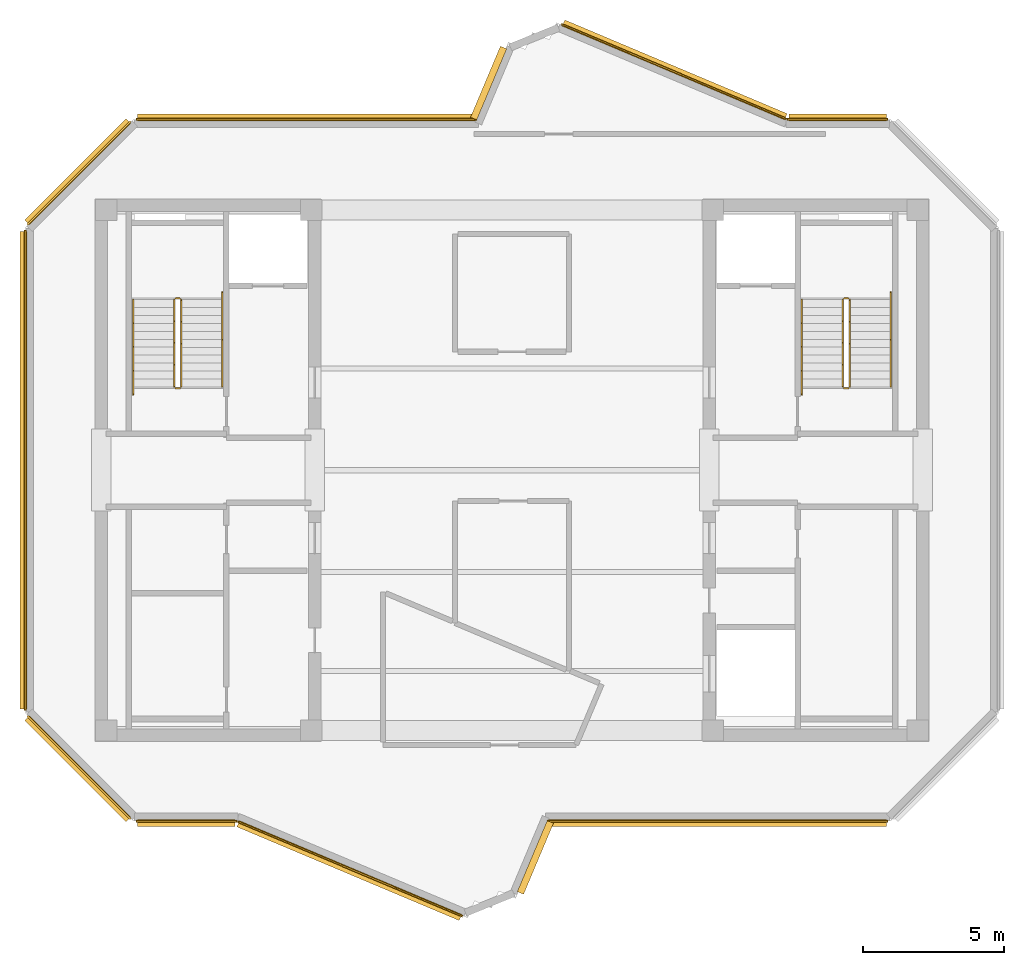
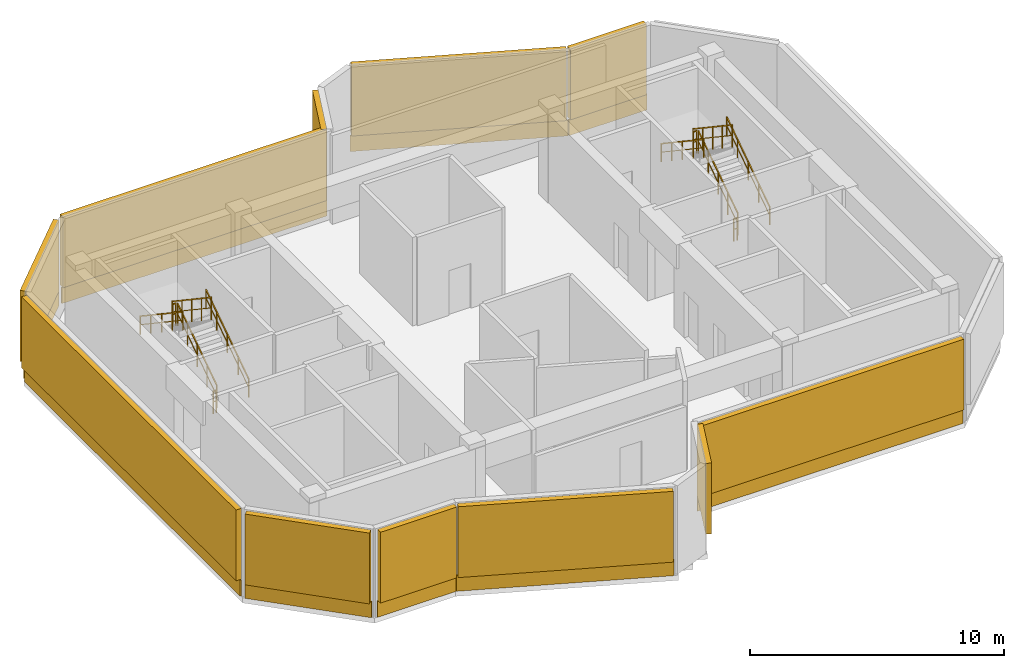
# One storey, part 4 of 5: 12 railings, 11 shading devices, 9 coverings.
"""IFC4 building model written with IfcOpenShell, lengths in metres."""

import ifcopenshell
import ifcopenshell.guid

model = None  # the IFC model being written
_history = None  # IfcOwnerHistory: only IFC2X3 demands one
_inside = {}  # id of a spatial element -> (the spatial element, [elements in it])
_under = {}  # id of a project, library or spatial element -> (it, [spatial elements below it])
_declared = {}  # id of a project -> (the project, [libraries it declares])
_typed = {}  # id of a type object -> (the type object, [elements of that type])
_made_of = {}  # id of a material, layer set ... -> (it, [elements and type objects made of it])


def new_model(schema):
    """Start an empty IFC model of exactly this schema.

    Asked for "IFC4X3", IfcOpenShell would pick the latest addendum, in which some entities
    have other attributes; the version numbers below select the first issue.
    IFC2X3 requires an IfcOwnerHistory on every rooted entity: one is made here for all.
    """
    global model, _history
    if schema == "IFC4X3":
        model = ifcopenshell.file(schema_version=(4, 3, 0, 0))
    else:
        model = ifcopenshell.file(schema=schema)
    _inside.clear()
    _under.clear()
    _declared.clear()
    _typed.clear()
    _made_of.clear()
    _history = None
    if model.schema == "IFC2X3":
        org = make("IfcOrganization", Name="unknown")
        user = make(
            "IfcPersonAndOrganization",
            ThePerson=make("IfcPerson", FamilyName="unknown"),
            TheOrganization=org,
        )
        app = make(
            "IfcApplication",
            ApplicationDeveloper=org,
            Version="unknown",
            ApplicationFullName="unknown",
            ApplicationIdentifier="unknown",
        )
        _history = make(
            "IfcOwnerHistory",
            OwningUser=user,
            OwningApplication=app,
            ChangeAction="ADDED",
            CreationDate=0,
        )
    return model


def make(cls, **values):
    """One entity of the class cls with the attributes given. An attribute that is None is left unset."""
    return model.create_entity(
        cls, **{name: value for name, value in values.items() if value is not None}
    )


def rooted(cls, **values):
    """An entity with a GlobalId (a new one), such as an element, a storey or a relation."""
    return make(cls, GlobalId=ifcopenshell.guid.new(), OwnerHistory=_history, **values)


def si_unit(unit_type, name, prefix=None):
    """IfcSIUnit, for example si_unit("LENGTHUNIT", "METRE", prefix="MILLI")."""
    return make("IfcSIUnit", UnitType=unit_type, Prefix=prefix, Name=name)


def assignment(units):
    """IfcUnitAssignment: the units of a project."""
    return None if units is None else make("IfcUnitAssignment", Units=units)


def point(xyz):
    """IfcCartesianPoint."""
    return None if xyz is None else make("IfcCartesianPoint", Coordinates=xyz)


def direction(xyz):
    """IfcDirection."""
    return None if xyz is None else make("IfcDirection", DirectionRatios=xyz)


def frame(location, z_axis=None, x_axis=None):
    """IfcAxis2Placement3D, a coordinate frame: its origin and axes. An axis left out is left unset."""
    return make(
        "IfcAxis2Placement3D",
        Location=point(location),
        Axis=direction(z_axis),
        RefDirection=direction(x_axis),
    )


def frame_2d(location, x_axis=None):
    """IfcAxis2Placement2D, a coordinate frame in the plane: its origin and x axis."""
    return make(
        "IfcAxis2Placement2D", Location=point(location), RefDirection=direction(x_axis)
    )


def origin():
    """The frame at (0, 0, 0) with its axes left unset."""
    return frame((0.0, 0.0, 0.0))


def origin_2d():
    """The frame at (0, 0) in the plane with its x axis left unset."""
    return frame_2d((0.0, 0.0))


def place(relative_to, where):
    """IfcLocalPlacement: puts the frame where relative to a parent placement (None: the world)."""
    return make(
        "IfcLocalPlacement", PlacementRelTo=relative_to, RelativePlacement=where
    )


def context(
    kind, dimensions, precision=None, world=None, true_north=None, identifier=None
):
    """IfcGeometricRepresentationContext, for example the 3D "Model" context."""
    return make(
        "IfcGeometricRepresentationContext",
        ContextIdentifier=identifier,
        ContextType=kind,
        CoordinateSpaceDimension=dimensions,
        Precision=precision,
        WorldCoordinateSystem=world,
        TrueNorth=true_north,
    )


def subcontext(parent, identifier, kind, view, scale=None):
    """IfcGeometricRepresentationSubContext, for example "Body" below "Model"."""
    return make(
        "IfcGeometricRepresentationSubContext",
        ContextIdentifier=identifier,
        ContextType=kind,
        ParentContext=parent,
        TargetScale=scale,
        TargetView=view,
    )


def project(units=None, contexts=None):
    """IfcProject with its units and contexts."""
    return rooted(
        "IfcProject",
        Name="project",
        RepresentationContexts=contexts,
        UnitsInContext=assignment(units),
    )


def spatial(cls, under=None, at=None, **own):
    """A site, building, storey or space (cls), placed at a placement, below another one or the project."""
    s = rooted(cls, ObjectPlacement=at, **own)
    if under is not None:
        _under.setdefault(under.id(), (under, []))[1].append(s)
    return s


def profile(cls, at=None, kind="AREA", **sizes):
    """A parametric profile (cls). Its sizes go by their IFC names, for example OverallWidth=200.0."""
    return make(cls, ProfileType=kind, Position=at, **sizes)


def rectangle(**sizes):
    """IfcRectangleProfileDef."""
    return profile("IfcRectangleProfileDef", **sizes)


def extrude(swept, where, along, depth):
    """IfcExtrudedAreaSolid: the profile swept, set in the frame where, extruded along a direction by depth."""
    return make(
        "IfcExtrudedAreaSolid",
        SweptArea=swept,
        Position=where,
        ExtrudedDirection=direction(along),
        Depth=depth,
    )


def shape(context_of_items, identifier, shape_type, items):
    """IfcShapeRepresentation: the items that make up one representation, for example the "Body"."""
    return make(
        "IfcShapeRepresentation",
        ContextOfItems=context_of_items,
        RepresentationIdentifier=identifier,
        RepresentationType=shape_type,
        Items=items,
    )


def source(mapping_origin, context_of_items, identifier, shape_type, items):
    """IfcRepresentationMap: a shape defined once, which mapped items show again and again."""
    return make(
        "IfcRepresentationMap",
        MappingOrigin=mapping_origin,
        MappedRepresentation=shape(context_of_items, identifier, shape_type, items),
    )


def transform(
    local_origin,
    x_axis=None,
    y_axis=None,
    z_axis=None,
    scale=None,
    scale2=None,
    scale3=None,
    uniform=True,
):
    """IfcCartesianTransformationOperator3D, or its non-uniform kind. x_axis, y_axis, z_axis: its Axis1, 2, 3."""
    if uniform:
        return make(
            "IfcCartesianTransformationOperator3D",
            Axis1=direction(x_axis),
            Axis2=direction(y_axis),
            LocalOrigin=point(local_origin),
            Scale=scale,
            Axis3=direction(z_axis),
        )
    return make(
        "IfcCartesianTransformationOperator3DnonUniform",
        Axis1=direction(x_axis),
        Axis2=direction(y_axis),
        LocalOrigin=point(local_origin),
        Scale=scale,
        Axis3=direction(z_axis),
        Scale2=scale2,
        Scale3=scale3,
    )


def mapped(mapping_source, mapping_target):
    """IfcMappedItem: shows the shape of a source again, moved by a transform."""
    return make(
        "IfcMappedItem", MappingSource=mapping_source, MappingTarget=mapping_target
    )


def material(Name=None, Category=None):
    """IfcMaterial."""
    return make("IfcMaterial", Name=Name, Category=Category)


def layer(
    of_material, thickness, ventilated=None, Name=None, Category=None, Priority=None
):
    """IfcMaterialLayer: one layer of a wall or slab, of a material (None: an air gap)."""
    return make(
        "IfcMaterialLayer",
        Material=of_material,
        LayerThickness=thickness,
        IsVentilated=ventilated,
        Name=Name,
        Category=Category,
        Priority=Priority,
    )


def layer_set(layers, Name=None):
    """IfcMaterialLayerSet."""
    return make("IfcMaterialLayerSet", MaterialLayers=layers, LayerSetName=Name)


def made_of(thing, what):
    """Note that an element or type object is made of a material, layer set ...; save() writes the relation."""
    if what is not None:
        _made_of.setdefault(what.id(), (what, []))[1].append(thing)
    return thing


def type_object(cls, material=None, **own):
    """A type object (cls), such as IfcWallType, which elements share."""
    return made_of(rooted(cls, **own), material)


def element(
    cls,
    number,
    at=None,
    inside=None,
    cuts=None,
    type_object=None,
    material=None,
    context=None,
    identifier="Body",
    shape_type=None,
    held_by="IfcProductDefinitionShape",
    body=None,
    shapes=None,
    **own,
):
    """One element of the class cls, such as IfcWall. Its Tag is "e" and its number.

    at: its placement. inside: the storey or other place that contains it. cuts: it is an
    opening in that element (IfcRelVoidsElement). A single representation is given by context,
    identifier, shape_type and body (its items); several are given by shapes. held_by: the class
    of the entity that holds the representations. save() writes the other relations.
    """
    e = rooted(cls, Tag="e%d" % number, ObjectPlacement=at, **own)
    if body is not None:
        shapes = [shape(context, identifier, shape_type, body)]
    if shapes is not None:
        e.Representation = make(held_by, Representations=shapes)
    if inside is not None:
        _inside.setdefault(inside.id(), (inside, []))[1].append(e)
    if cuts is not None:
        rooted(
            "IfcRelVoidsElement", RelatingBuildingElement=cuts, RelatedOpeningElement=e
        )
    if type_object is not None:
        _typed.setdefault(type_object.id(), (type_object, []))[1].append(e)
    return made_of(e, material)


def aggregate(whole, parts):
    """IfcRelAggregates: a whole, such as a stair, and the parts it consists of."""
    return rooted("IfcRelAggregates", RelatingObject=whole, RelatedObjects=parts)


def save(model, path):
    """Write the relations noted so far, then the file.

    IfcRelAggregates (storeys below a building ...), IfcRelContainedInSpatialStructure (elements
    in a storey), IfcRelDefinesByType, IfcRelAssociatesMaterial and IfcRelDeclares: one each for
    every whole, place, type object, material and project.
    """
    for whole, parts in _under.values():
        aggregate(whole, parts)
    for where, things in _inside.values():
        rooted(
            "IfcRelContainedInSpatialStructure",
            RelatedElements=things,
            RelatingStructure=where,
        )
    for kind, things in _typed.values():
        rooted("IfcRelDefinesByType", RelatedObjects=things, RelatingType=kind)
    for what, things in _made_of.values():
        rooted("IfcRelAssociatesMaterial", RelatedObjects=things, RelatingMaterial=what)
    for by, libraries in _declared.values():
        rooted("IfcRelDeclares", RelatingContext=by, RelatedDefinitions=libraries)
    model.write(path)


model = new_model("IFC4")

# Units and contexts
model_context = context("Model", 3, precision=1e-05, world=origin(), true_north=direction((0.0, 1.0)))
body_context = subcontext(model_context, "Body", "Model", "MODEL_VIEW")
ifc_project = project(units=[si_unit("LENGTHUNIT", "METRE"), si_unit("AREAUNIT", "SQUARE_METRE"), si_unit("VOLUMEUNIT", "CUBIC_METRE"), si_unit("PLANEANGLEUNIT", "RADIAN"), si_unit("MASSUNIT", "GRAM", prefix="KILO")], contexts=[model_context])

# Site, building, storey
site_placement = place(None, origin())
site = spatial("IfcSite", under=ifc_project, at=site_placement, CompositionType="ELEMENT")
building_placement = place(site_placement, origin())
building = spatial("IfcBuilding", under=site, at=building_placement, Name="Zahravan Cultural Tower", CompositionType="ELEMENT")
storey_placement = place(building_placement, frame((0.0, 0.0, 375.14990234375)))
storey = spatial("IfcBuildingStorey", under=building, at=storey_placement, Name="L91", CompositionType="ELEMENT", Elevation=375.14990234375)

# Railings
ifc_material_1 = material(Name="Steel ASTM A572 Grade 50", Category="steel")
railing_type_1 = type_object("IfcRailingType", Name="RL-STAIR-GRD1150", PredefinedType="BALUSTRADE", material=ifc_material_1)
railing_1_placement = place(storey_placement, frame((24.300048828125, 29.949951171875, 0.1875)))
element("IfcRailing", 1, at=railing_1_placement, inside=storey, type_object=railing_type_1, Name="L91 ST-W1 stair guard 1", PredefinedType="BALUSTRADE", context=body_context, shape_type="SweptSolid", body=[
    extrude(rectangle(XDim=0.05, YDim=0.05, at=origin_2d()), frame((0.0, 0.0, 1.0751953125), z_axis=(0.0, 0.830913701846, 0.55640131208), x_axis=(-1.0, 0.0, 0.0)), (0.0, 0.0, 1.0), 3.706787109375),
    extrude(rectangle(XDim=0.032, YDim=0.032, at=origin_2d()), frame((0.0, 0.0, 0.572021484375), z_axis=(0.0, 0.830913701846, 0.55640131208), x_axis=(-1.0, 0.0, 0.0)), (0.0, 0.0, 1.0), 3.706787109375),
    extrude(rectangle(XDim=0.04, YDim=0.04, at=origin_2d()), origin(), (0.0, 0.0, 1.0), 1.10009765625),
    extrude(rectangle(XDim=0.04, YDim=0.04, at=origin_2d()), frame((0.0, 0.77001953125, 0.515625)), (0.0, 0.0, 1.0), 1.10009765625),
    extrude(rectangle(XDim=0.04, YDim=0.04, at=origin_2d()), frame((0.0, 1.5400390625, 1.03125)), (0.0, 0.0, 1.0), 1.10009765625),
    extrude(rectangle(XDim=0.04, YDim=0.04, at=origin_2d()), frame((0.0, 2.31005859375, 1.546875)), (0.0, 0.0, 1.0), 1.10009765625),
    extrude(rectangle(XDim=0.04, YDim=0.04, at=origin_2d()), frame((0.0, 3.080078125, 2.0625)), (0.0, 0.0, 1.0), 1.10009765625),
])
railing_2_placement = place(storey_placement, frame((24.25, 33.080078125, 2.25)))
element("IfcRailing", 2, at=railing_2_placement, inside=storey, type_object=railing_type_1, Name="L91 ST-W1 stair guard 2", PredefinedType="BALUSTRADE", context=body_context, shape_type="SweptSolid", body=[
    extrude(rectangle(XDim=0.05, YDim=0.05, at=origin_2d()), frame((0.0, 0.0, 1.0751953125), z_axis=(-1.0, 0.0, 0.0), x_axis=(0.0, -1.0, 0.0)), (0.0, 0.0, 1.0), 0.14990234375),
    extrude(rectangle(XDim=0.032, YDim=0.032, at=origin_2d()), frame((0.0, 0.0, 0.572021484375), z_axis=(-1.0, 0.0, 0.0), x_axis=(0.0, -1.0, 0.0)), (0.0, 0.0, 1.0), 0.14990234375),
    extrude(rectangle(XDim=0.04, YDim=0.04, at=origin_2d()), origin(), (0.0, 0.0, 1.0), 1.10009765625),
    extrude(rectangle(XDim=0.04, YDim=0.04, at=origin_2d()), frame((-0.14990234375, 0.0, 0.0)), (0.0, 0.0, 1.0), 1.10009765625),
])
railing_3_placement = place(storey_placement, frame((24.050048828125, 33.030029296875, 2.4375)))
element("IfcRailing", 3, at=railing_3_placement, inside=storey, type_object=railing_type_1, Name="L91 ST-W1 stair guard 3", PredefinedType="BALUSTRADE", context=body_context, shape_type="SweptSolid", body=[
    extrude(rectangle(XDim=0.05, YDim=0.05, at=origin_2d()), frame((0.0, 0.0, 1.0751953125), z_axis=(0.0, -0.830913701846, 0.55640131208), x_axis=(1.0, 0.0, 0.0)), (0.0, 0.0, 1.0), 3.706787109375),
    extrude(rectangle(XDim=0.032, YDim=0.032, at=origin_2d()), frame((0.0, 0.0, 0.572021484375), z_axis=(0.0, -0.830913701846, 0.55640131208), x_axis=(1.0, 0.0, 0.0)), (0.0, 0.0, 1.0), 3.706787109375),
    extrude(rectangle(XDim=0.04, YDim=0.04, at=origin_2d()), origin(), (0.0, 0.0, 1.0), 1.10009765625),
    extrude(rectangle(XDim=0.04, YDim=0.04, at=origin_2d()), frame((0.0, -0.77001953125, 0.515625)), (0.0, 0.0, 1.0), 1.10009765625),
    extrude(rectangle(XDim=0.04, YDim=0.04, at=origin_2d()), frame((0.0, -1.5400390625, 1.03125)), (0.0, 0.0, 1.0), 1.10009765625),
    extrude(rectangle(XDim=0.04, YDim=0.04, at=origin_2d()), frame((0.0, -2.31005859375, 1.546875)), (0.0, 0.0, 1.0), 1.10009765625),
    extrude(rectangle(XDim=0.04, YDim=0.04, at=origin_2d()), frame((0.0, -3.080078125, 2.0625)), (0.0, 0.0, 1.0), 1.10009765625),
])
railing_4_placement = place(storey_placement, frame((24.25, 29.89990234375, 0.0)))
element("IfcRailing", 4, at=railing_4_placement, inside=storey, type_object=railing_type_1, Name="L91 ST-W1 stair guard 4", PredefinedType="BALUSTRADE", context=body_context, shape_type="SweptSolid", body=[
    extrude(rectangle(XDim=0.05, YDim=0.05, at=origin_2d()), frame((0.0, 0.0, 1.0751953125), z_axis=(-1.0, 0.0, 0.0), x_axis=(0.0, -1.0, 0.0)), (0.0, 0.0, 1.0), 0.14990234375),
    extrude(rectangle(XDim=0.032, YDim=0.032, at=origin_2d()), frame((0.0, 0.0, 0.572021484375), z_axis=(-1.0, 0.0, 0.0), x_axis=(0.0, -1.0, 0.0)), (0.0, 0.0, 1.0), 0.14990234375),
    extrude(rectangle(XDim=0.04, YDim=0.04, at=origin_2d()), origin(), (0.0, 0.0, 1.0), 1.10009765625),
    extrude(rectangle(XDim=0.04, YDim=0.04, at=origin_2d()), frame((-0.14990234375, 0.0, 0.0)), (0.0, 0.0, 1.0), 1.10009765625),
])
railing_5_placement = place(storey_placement, frame((47.949951171875, 29.949951171875, 0.1875)))
element("IfcRailing", 5, at=railing_5_placement, inside=storey, type_object=railing_type_1, Name="L91 ST-E1 stair guard 1", PredefinedType="BALUSTRADE", context=body_context, shape_type="SweptSolid", body=[
    extrude(rectangle(XDim=0.05, YDim=0.05, at=origin_2d()), frame((0.0, 0.0, 1.0751953125), z_axis=(0.0, 0.830913701846, 0.55640131208), x_axis=(-1.0, 0.0, 0.0)), (0.0, 0.0, 1.0), 3.706787109375),
    extrude(rectangle(XDim=0.032, YDim=0.032, at=origin_2d()), frame((0.0, 0.0, 0.572021484375), z_axis=(0.0, 0.830913701846, 0.55640131208), x_axis=(-1.0, 0.0, 0.0)), (0.0, 0.0, 1.0), 3.706787109375),
    extrude(rectangle(XDim=0.04, YDim=0.04, at=origin_2d()), origin(), (0.0, 0.0, 1.0), 1.10009765625),
    extrude(rectangle(XDim=0.04, YDim=0.04, at=origin_2d()), frame((0.0, 0.77001953125, 0.515625)), (0.0, 0.0, 1.0), 1.10009765625),
    extrude(rectangle(XDim=0.04, YDim=0.04, at=origin_2d()), frame((0.0, 1.5400390625, 1.03125)), (0.0, 0.0, 1.0), 1.10009765625),
    extrude(rectangle(XDim=0.04, YDim=0.04, at=origin_2d()), frame((0.0, 2.31005859375, 1.546875)), (0.0, 0.0, 1.0), 1.10009765625),
    extrude(rectangle(XDim=0.04, YDim=0.04, at=origin_2d()), frame((0.0, 3.080078125, 2.0625)), (0.0, 0.0, 1.0), 1.10009765625),
])
railing_6_placement = place(storey_placement, frame((47.89990234375, 33.080078125, 2.25)))
element("IfcRailing", 6, at=railing_6_placement, inside=storey, type_object=railing_type_1, Name="L91 ST-E1 stair guard 2", PredefinedType="BALUSTRADE", context=body_context, shape_type="SweptSolid", body=[
    extrude(rectangle(XDim=0.05, YDim=0.05, at=origin_2d()), frame((0.0, 0.0, 1.0751953125), z_axis=(-1.0, 0.0, 0.0), x_axis=(0.0, -1.0, 0.0)), (0.0, 0.0, 1.0), 0.14990234375),
    extrude(rectangle(XDim=0.032, YDim=0.032, at=origin_2d()), frame((0.0, 0.0, 0.572021484375), z_axis=(-1.0, 0.0, 0.0), x_axis=(0.0, -1.0, 0.0)), (0.0, 0.0, 1.0), 0.14990234375),
    extrude(rectangle(XDim=0.04, YDim=0.04, at=origin_2d()), origin(), (0.0, 0.0, 1.0), 1.10009765625),
    extrude(rectangle(XDim=0.04, YDim=0.04, at=origin_2d()), frame((-0.14990234375, 0.0, 0.0)), (0.0, 0.0, 1.0), 1.10009765625),
])
railing_7_placement = place(storey_placement, frame((47.699951171875, 33.030029296875, 2.4375)))
element("IfcRailing", 7, at=railing_7_placement, inside=storey, type_object=railing_type_1, Name="L91 ST-E1 stair guard 3", PredefinedType="BALUSTRADE", context=body_context, shape_type="SweptSolid", body=[
    extrude(rectangle(XDim=0.05, YDim=0.05, at=origin_2d()), frame((0.0, 0.0, 1.0751953125), z_axis=(0.0, -0.830913701846, 0.55640131208), x_axis=(1.0, 0.0, 0.0)), (0.0, 0.0, 1.0), 3.706787109375),
    extrude(rectangle(XDim=0.032, YDim=0.032, at=origin_2d()), frame((0.0, 0.0, 0.572021484375), z_axis=(0.0, -0.830913701846, 0.55640131208), x_axis=(1.0, 0.0, 0.0)), (0.0, 0.0, 1.0), 3.706787109375),
    extrude(rectangle(XDim=0.04, YDim=0.04, at=origin_2d()), origin(), (0.0, 0.0, 1.0), 1.10009765625),
    extrude(rectangle(XDim=0.04, YDim=0.04, at=origin_2d()), frame((0.0, -0.77001953125, 0.515625)), (0.0, 0.0, 1.0), 1.10009765625),
    extrude(rectangle(XDim=0.04, YDim=0.04, at=origin_2d()), frame((0.0, -1.5400390625, 1.03125)), (0.0, 0.0, 1.0), 1.10009765625),
    extrude(rectangle(XDim=0.04, YDim=0.04, at=origin_2d()), frame((0.0, -2.31005859375, 1.546875)), (0.0, 0.0, 1.0), 1.10009765625),
    extrude(rectangle(XDim=0.04, YDim=0.04, at=origin_2d()), frame((0.0, -3.080078125, 2.0625)), (0.0, 0.0, 1.0), 1.10009765625),
])
railing_8_placement = place(storey_placement, frame((47.89990234375, 29.89990234375, 0.0)))
element("IfcRailing", 8, at=railing_8_placement, inside=storey, type_object=railing_type_1, Name="L91 ST-E1 stair guard 4", PredefinedType="BALUSTRADE", context=body_context, shape_type="SweptSolid", body=[
    extrude(rectangle(XDim=0.05, YDim=0.05, at=origin_2d()), frame((0.0, 0.0, 1.0751953125), z_axis=(-1.0, 0.0, 0.0), x_axis=(0.0, -1.0, 0.0)), (0.0, 0.0, 1.0), 0.14990234375),
    extrude(rectangle(XDim=0.032, YDim=0.032, at=origin_2d()), frame((0.0, 0.0, 0.572021484375), z_axis=(-1.0, 0.0, 0.0), x_axis=(0.0, -1.0, 0.0)), (0.0, 0.0, 1.0), 0.14990234375),
    extrude(rectangle(XDim=0.04, YDim=0.04, at=origin_2d()), origin(), (0.0, 0.0, 1.0), 1.10009765625),
    extrude(rectangle(XDim=0.04, YDim=0.04, at=origin_2d()), frame((-0.14990234375, 0.0, 0.0)), (0.0, 0.0, 1.0), 1.10009765625),
])
railing_type_2 = type_object("IfcRailingType", Name="RL-STAIR-HR900", PredefinedType="HANDRAIL", material=ifc_material_1)
railing_9_placement = place(storey_placement, frame((25.75, 29.949951171875, 0.1875)))
element("IfcRailing", 9, at=railing_9_placement, inside=storey, type_object=railing_type_2, Name="L91 ST-W1 stair handrail 1", PredefinedType="HANDRAIL", context=body_context, shape_type="SweptSolid", body=[
    extrude(rectangle(XDim=0.05, YDim=0.05, at=origin_2d()), frame((0.0, 0.0, 0.875), z_axis=(0.0, 0.830915400975, 0.556398774641), x_axis=(-1.0, 0.0, 0.0)), (0.0, 0.0, 1.0), 4.0439453125),
    extrude(rectangle(XDim=0.032, YDim=0.032, at=origin_2d()), frame((0.0, 0.0, 0.468017578125), z_axis=(0.0, 0.830915400975, 0.556398774641), x_axis=(-1.0, 0.0, 0.0)), (0.0, 0.0, 1.0), 4.0439453125),
    extrude(rectangle(XDim=0.04, YDim=0.04, at=origin_2d()), origin(), (0.0, 0.0, 1.0), 0.89990234375),
    extrude(rectangle(XDim=0.04, YDim=0.04, at=origin_2d()), frame((0.0, 0.840087890625, 0.5625)), (0.0, 0.0, 1.0), 0.89990234375),
    extrude(rectangle(XDim=0.04, YDim=0.04, at=origin_2d()), frame((0.0, 1.68017578125, 1.125)), (0.0, 0.0, 1.0), 0.89990234375),
    extrude(rectangle(XDim=0.04, YDim=0.04, at=origin_2d()), frame((0.0, 2.52001953125, 1.6875)), (0.0, 0.0, 1.0), 0.89990234375),
    extrude(rectangle(XDim=0.04, YDim=0.04, at=origin_2d()), frame((0.0, 3.360107421875, 2.25)), (0.0, 0.0, 1.0), 0.89990234375),
])
railing_10_placement = place(storey_placement, frame((22.60009765625, 33.030029296875, 2.4375)))
element("IfcRailing", 10, at=railing_10_placement, inside=storey, type_object=railing_type_2, Name="L91 ST-W1 stair handrail 2", PredefinedType="HANDRAIL", context=body_context, shape_type="SweptSolid", body=[
    extrude(rectangle(XDim=0.05, YDim=0.05, at=origin_2d()), frame((0.0, 0.0, 0.875), z_axis=(0.0, -0.830915400975, 0.556398774641), x_axis=(1.0, 0.0, 0.0)), (0.0, 0.0, 1.0), 4.0439453125),
    extrude(rectangle(XDim=0.032, YDim=0.032, at=origin_2d()), frame((0.0, 0.0, 0.468017578125), z_axis=(0.0, -0.830915400975, 0.556398774641), x_axis=(1.0, 0.0, 0.0)), (0.0, 0.0, 1.0), 4.0439453125),
    extrude(rectangle(XDim=0.04, YDim=0.04, at=origin_2d()), origin(), (0.0, 0.0, 1.0), 0.89990234375),
    extrude(rectangle(XDim=0.04, YDim=0.04, at=origin_2d()), frame((0.0, -0.840087890625, 0.5625)), (0.0, 0.0, 1.0), 0.89990234375),
    extrude(rectangle(XDim=0.04, YDim=0.04, at=origin_2d()), frame((0.0, -1.68017578125, 1.125)), (0.0, 0.0, 1.0), 0.89990234375),
    extrude(rectangle(XDim=0.04, YDim=0.04, at=origin_2d()), frame((0.0, -2.52001953125, 1.6875)), (0.0, 0.0, 1.0), 0.89990234375),
    extrude(rectangle(XDim=0.04, YDim=0.04, at=origin_2d()), frame((0.0, -3.360107421875, 2.25)), (0.0, 0.0, 1.0), 0.89990234375),
])
railing_11_placement = place(storey_placement, frame((49.39990234375, 29.949951171875, 0.1875)))
element("IfcRailing", 11, at=railing_11_placement, inside=storey, type_object=railing_type_2, Name="L91 ST-E1 stair handrail 1", PredefinedType="HANDRAIL", context=body_context, shape_type="SweptSolid", body=[
    extrude(rectangle(XDim=0.05, YDim=0.05, at=origin_2d()), frame((0.0, 0.0, 0.875), z_axis=(0.0, 0.830915400975, 0.556398774641), x_axis=(-1.0, 0.0, 0.0)), (0.0, 0.0, 1.0), 4.0439453125),
    extrude(rectangle(XDim=0.032, YDim=0.032, at=origin_2d()), frame((0.0, 0.0, 0.468017578125), z_axis=(0.0, 0.830915400975, 0.556398774641), x_axis=(-1.0, 0.0, 0.0)), (0.0, 0.0, 1.0), 4.0439453125),
    extrude(rectangle(XDim=0.04, YDim=0.04, at=origin_2d()), origin(), (0.0, 0.0, 1.0), 0.89990234375),
    extrude(rectangle(XDim=0.04, YDim=0.04, at=origin_2d()), frame((0.0, 0.840087890625, 0.5625)), (0.0, 0.0, 1.0), 0.89990234375),
    extrude(rectangle(XDim=0.04, YDim=0.04, at=origin_2d()), frame((0.0, 1.68017578125, 1.125)), (0.0, 0.0, 1.0), 0.89990234375),
    extrude(rectangle(XDim=0.04, YDim=0.04, at=origin_2d()), frame((0.0, 2.52001953125, 1.6875)), (0.0, 0.0, 1.0), 0.89990234375),
    extrude(rectangle(XDim=0.04, YDim=0.04, at=origin_2d()), frame((0.0, 3.360107421875, 2.25)), (0.0, 0.0, 1.0), 0.89990234375),
])
railing_12_placement = place(storey_placement, frame((46.25, 33.030029296875, 2.4375)))
element("IfcRailing", 12, at=railing_12_placement, inside=storey, type_object=railing_type_2, Name="L91 ST-E1 stair handrail 2", PredefinedType="HANDRAIL", context=body_context, shape_type="SweptSolid", body=[
    extrude(rectangle(XDim=0.05, YDim=0.05, at=origin_2d()), frame((0.0, 0.0, 0.875), z_axis=(0.0, -0.830915400975, 0.556398774641), x_axis=(1.0, 0.0, 0.0)), (0.0, 0.0, 1.0), 4.0439453125),
    extrude(rectangle(XDim=0.032, YDim=0.032, at=origin_2d()), frame((0.0, 0.0, 0.468017578125), z_axis=(0.0, -0.830915400975, 0.556398774641), x_axis=(1.0, 0.0, 0.0)), (0.0, 0.0, 1.0), 4.0439453125),
    extrude(rectangle(XDim=0.04, YDim=0.04, at=origin_2d()), origin(), (0.0, 0.0, 1.0), 0.89990234375),
    extrude(rectangle(XDim=0.04, YDim=0.04, at=origin_2d()), frame((0.0, -0.840087890625, 0.5625)), (0.0, 0.0, 1.0), 0.89990234375),
    extrude(rectangle(XDim=0.04, YDim=0.04, at=origin_2d()), frame((0.0, -1.68017578125, 1.125)), (0.0, 0.0, 1.0), 0.89990234375),
    extrude(rectangle(XDim=0.04, YDim=0.04, at=origin_2d()), frame((0.0, -2.52001953125, 1.6875)), (0.0, 0.0, 1.0), 0.89990234375),
    extrude(rectangle(XDim=0.04, YDim=0.04, at=origin_2d()), frame((0.0, -3.360107421875, 2.25)), (0.0, 0.0, 1.0), 0.89990234375),
])

# Coverings
ifc_material_2 = material(Name="Terracotta ceramic cladding", Category="masonry")
ifc_layer = layer(ifc_material_2, 0.06005859375)
ifc_layer_set = layer_set([ifc_layer], Name="Terracotta ceramic cladding")
covering_type = type_object("IfcCoveringType", Name="COV-CLAD-TC60", PredefinedType="CLADDING", material=ifc_layer_set)
shared_shape_1 = source(origin(), body_context, "Body", "SweptSolid", [
    extrude(rectangle(XDim=5.157958984375, YDim=0.06005859375, at=origin_2d()), origin(), (0.0, 0.0, 1.0), 0.760009765625),
])
for number, where, z_axis, x_axis, name in (
    (13, (20.689453125, 16.489501953125, 0.02001953125), (0.0, 0.0, 1.0), (-0.707106781187, 0.707106781187, 0.0), "L91 Terracotta Spandrel Cladding 13"),
    (14, (20.689453125, 37.510498046875, 0.02001953125), (0.0, 0.0, 1.0), (0.707106781187, 0.707106781187, 0.0), "L91 Terracotta Spandrel Cladding 15"),
):
    element("IfcCovering", number, at=place(storey_placement, frame(where, z_axis=z_axis, x_axis=x_axis)), inside=storey, type_object=covering_type, Name=name, PredefinedType="CLADDING", context=body_context, shape_type="MappedRepresentation", body=[
        mapped(shared_shape_1, transform((0.0, 0.0, 0.0), x_axis=(1.0, 0.0, 0.0), y_axis=(0.0, 1.0, 0.0), z_axis=(0.0, 0.0, 1.0), scale=1.0)),
    ])

# Shading devices
ifc_material_3 = material(Name="Architectural terracotta fin", Category="masonry")
shading_device_type = type_object("IfcShadingDeviceType", Name="SHD-LOUVRE-BAND", PredefinedType="JALOUSIE", material=ifc_material_3)
shared_shape_2 = source(origin(), body_context, "Body", "SweptSolid", [
    extrude(rectangle(XDim=5.05810546875, YDim=0.239990234375, at=origin_2d()), origin(), (0.0, 0.0, 1.0), 3.39990234375),
])
for number, where, z_axis, x_axis, name in (
    (15, (20.643310546875, 16.443359375, 0.780029296875), (0.0, 0.0, 1.0), (-0.707106781187, 0.707106781187, 0.0), "L91 Terracotta Acoustic Louvre 11"),
    (16, (20.643310546875, 37.556640625, 0.780029296875), (0.0, 0.0, 1.0), (0.707106781187, 0.707106781187, 0.0), "L91 Terracotta Acoustic Louvre 13"),
):
    element("IfcShadingDevice", number, at=place(storey_placement, frame(where, z_axis=z_axis, x_axis=x_axis)), inside=storey, type_object=shading_device_type, Name=name, PredefinedType="JALOUSIE", context=body_context, shape_type="MappedRepresentation", body=[
        mapped(shared_shape_2, transform((0.0, 0.0, 0.0), x_axis=(1.0, 0.0, 0.0), y_axis=(0.0, 1.0, 0.0), z_axis=(0.0, 0.0, 1.0), scale=1.0)),
    ])
shared_shape_3 = source(origin(), body_context, "Body", "SweptSolid", [
    extrude(rectangle(XDim=2.725341796875, YDim=0.239990234375, at=origin_2d()), origin(), (0.0, 0.0, 1.0), 3.39990234375),
])
for number, where, z_axis, x_axis, name in (
    (17, (35.172607421875, 40.693359375, 0.780029296875), (0.0, 0.0, 1.0), (0.388335999737, 0.921517851866, 0.0), "L91 Terracotta Acoustic Louvre 01"),
    (18, (36.827392578125, 13.306640625, 0.780029296875), (0.0, 0.0, 1.0), (-0.388335999737, -0.921517851866, 0.0), "L91 Terracotta Acoustic Louvre 08"),
):
    element("IfcShadingDevice", number, at=place(storey_placement, frame(where, z_axis=z_axis, x_axis=x_axis)), inside=storey, type_object=shading_device_type, Name=name, PredefinedType="JALOUSIE", context=body_context, shape_type="MappedRepresentation", body=[
        mapped(shared_shape_3, transform((0.0, 0.0, 0.0), x_axis=(1.0, 0.0, 0.0), y_axis=(0.0, 1.0, 0.0), z_axis=(0.0, 0.0, 1.0), scale=1.0)),
    ])

# Coverings
shared_shape_4 = source(origin(), body_context, "Body", "SweptSolid", [
    extrude(rectangle(XDim=8.627197265625, YDim=0.06005859375, at=origin_2d()), origin(), (0.0, 0.0, 1.0), 0.760009765625),
])
for number, where, z_axis, x_axis, name in (
    (19, (41.727294921875, 41.097412109375, 0.02001953125), (0.0, 0.0, 1.0), (0.921524629468, -0.388319916157, 0.0), "L91 Terracotta Spandrel Cladding 03"),
    (20, (30.272705078125, 12.902587890625, 0.02001953125), (0.0, 0.0, 1.0), (-0.921524629468, 0.388319916157, 0.0), "L91 Terracotta Spandrel Cladding 11"),
):
    element("IfcCovering", number, at=place(storey_placement, frame(where, z_axis=z_axis, x_axis=x_axis)), inside=storey, type_object=covering_type, Name=name, PredefinedType="CLADDING", context=body_context, shape_type="MappedRepresentation", body=[
        mapped(shared_shape_4, transform((0.0, 0.0, 0.0), x_axis=(1.0, 0.0, 0.0), y_axis=(0.0, 1.0, 0.0), z_axis=(0.0, 0.0, 1.0), scale=1.0)),
    ])

# Shading devices
shared_shape_5 = source(origin(), body_context, "Body", "SweptSolid", [
    extrude(rectangle(XDim=8.527099609375, YDim=0.239990234375, at=origin_2d()), origin(), (0.0, 0.0, 1.0), 3.39990234375),
])
for number, where, z_axis, x_axis, name in (
    (21, (41.75244140625, 41.1572265625, 0.780029296875), (0.0, 0.0, 1.0), (0.921524629468, -0.388319916157, 0.0), "L91 Terracotta Acoustic Louvre 02"),
    (22, (30.24755859375, 12.8427734375, 0.780029296875), (0.0, 0.0, 1.0), (-0.921524629468, 0.388319916157, 0.0), "L91 Terracotta Acoustic Louvre 09"),
):
    element("IfcShadingDevice", number, at=place(storey_placement, frame(where, z_axis=z_axis, x_axis=x_axis)), inside=storey, type_object=shading_device_type, Name=name, PredefinedType="JALOUSIE", context=body_context, shape_type="MappedRepresentation", body=[
        mapped(shared_shape_5, transform((0.0, 0.0, 0.0), x_axis=(1.0, 0.0, 0.0), y_axis=(0.0, 1.0, 0.0), z_axis=(0.0, 0.0, 1.0), scale=1.0)),
    ])

# Coverings
shared_shape_6 = source(origin(), body_context, "Body", "SweptSolid", [
    extrude(rectangle(XDim=3.5537109375, YDim=0.06005859375, at=origin_2d()), origin(), (0.0, 0.0, 1.0), 0.760009765625),
])
for number, where, z_axis, x_axis, name in (
    (23, (47.51513671875, 39.4150390625, 0.02001953125), (0.0, 0.0, 1.0), (1.0, 0.0, 0.0), "L91 Terracotta Spandrel Cladding 04"),
    (24, (24.48486328125, 14.5849609375, 0.02001953125), (0.0, 0.0, 1.0), (-1.0, 0.0, 0.0), "L91 Terracotta Spandrel Cladding 12"),
):
    element("IfcCovering", number, at=place(storey_placement, frame(where, z_axis=z_axis, x_axis=x_axis)), inside=storey, type_object=covering_type, Name=name, PredefinedType="CLADDING", context=body_context, shape_type="MappedRepresentation", body=[
        mapped(shared_shape_6, transform((0.0, 0.0, 0.0), x_axis=(1.0, 0.0, 0.0), y_axis=(0.0, 1.0, 0.0), z_axis=(0.0, 0.0, 1.0), scale=1.0)),
    ])

# Shading devices
shared_shape_7 = source(origin(), body_context, "Body", "SweptSolid", [
    extrude(rectangle(XDim=3.453857421875, YDim=0.239990234375, at=origin_2d()), origin(), (0.0, 0.0, 1.0), 3.39990234375),
])
for number, where, z_axis, x_axis, name in (
    (25, (47.51513671875, 39.47998046875, 0.780029296875), (0.0, 0.0, 1.0), (1.0, 0.0, 0.0), "L91 Terracotta Acoustic Louvre 03"),
    (26, (24.48486328125, 14.52001953125, 0.780029296875), (0.0, 0.0, 1.0), (-1.0, 0.0, 0.0), "L91 Terracotta Acoustic Louvre 10"),
):
    element("IfcShadingDevice", number, at=place(storey_placement, frame(where, z_axis=z_axis, x_axis=x_axis)), inside=storey, type_object=shading_device_type, Name=name, PredefinedType="JALOUSIE", context=body_context, shape_type="MappedRepresentation", body=[
        mapped(shared_shape_7, transform((0.0, 0.0, 0.0), x_axis=(1.0, 0.0, 0.0), y_axis=(0.0, 1.0, 0.0), z_axis=(0.0, 0.0, 1.0), scale=1.0)),
    ])

# Covering
shared_shape_8 = source(origin(), body_context, "Body", "SweptSolid", [
    extrude(rectangle(XDim=16.98388671875, YDim=0.06005859375, at=origin_2d()), origin(), (0.0, 0.0, 1.0), 0.760009765625),
])
covering_placement = place(storey_placement, frame((18.784912109375, 27.0, 0.02001953125), z_axis=(0.0, 0.0, 1.0), x_axis=(0.0, 1.0, 0.0)))
element("IfcCovering", 27, at=covering_placement, inside=storey, type_object=covering_type, Name="L91 Terracotta Spandrel Cladding 14", PredefinedType="CLADDING", context=body_context, shape_type="MappedRepresentation", body=[
    mapped(shared_shape_8, transform((0.0, 0.0, 0.0), x_axis=(1.0, 0.0, 0.0), y_axis=(0.0, 1.0, 0.0), z_axis=(0.0, 0.0, 1.0), scale=1.0)),
])

# Shading device
shared_shape_9 = source(origin(), body_context, "Body", "SweptSolid", [
    extrude(rectangle(XDim=16.884033203125, YDim=0.239990234375, at=origin_2d()), origin(), (0.0, 0.0, 1.0), 3.39990234375),
])
shading_device_placement = place(storey_placement, frame((18.719970703125, 27.0, 0.780029296875), z_axis=(0.0, 0.0, 1.0), x_axis=(0.0, 1.0, 0.0)))
element("IfcShadingDevice", 28, at=shading_device_placement, inside=storey, type_object=shading_device_type, Name="L91 Terracotta Acoustic Louvre 12", PredefinedType="JALOUSIE", context=body_context, shape_type="MappedRepresentation", body=[
    mapped(shared_shape_9, transform((0.0, 0.0, 0.0), x_axis=(1.0, 0.0, 0.0), y_axis=(0.0, 1.0, 0.0), z_axis=(0.0, 0.0, 1.0), scale=1.0)),
])

# Coverings
shared_shape_10 = source(origin(), body_context, "Body", "SweptSolid", [
    extrude(rectangle(XDim=12.04931640625, YDim=0.06005859375, at=origin_2d()), origin(), (0.0, 0.0, 1.0), 0.760009765625),
])
for number, where, z_axis, x_axis, name in (
    (29, (43.267333984375, 14.5849609375, 0.02001953125), (0.0, 0.0, 1.0), (-1.0, 0.0, 0.0), "L91 Terracotta Spandrel Cladding 08"),
    (30, (28.732666015625, 39.4150390625, 0.02001953125), (0.0, 0.0, 1.0), (1.0, 0.0, 0.0), "L91 Terracotta Spandrel Cladding 16"),
):
    element("IfcCovering", number, at=place(storey_placement, frame(where, z_axis=z_axis, x_axis=x_axis)), inside=storey, type_object=covering_type, Name=name, PredefinedType="CLADDING", context=body_context, shape_type="MappedRepresentation", body=[
        mapped(shared_shape_10, transform((0.0, 0.0, 0.0), x_axis=(1.0, 0.0, 0.0), y_axis=(0.0, 1.0, 0.0), z_axis=(0.0, 0.0, 1.0), scale=1.0)),
    ])

# Shading devices
shared_shape_11 = source(origin(), body_context, "Body", "SweptSolid", [
    extrude(rectangle(XDim=11.94921875, YDim=0.239990234375, at=origin_2d()), origin(), (0.0, 0.0, 1.0), 3.39990234375),
])
for number, where, z_axis, x_axis, name in (
    (31, (43.267333984375, 14.52001953125, 0.780029296875), (0.0, 0.0, 1.0), (-1.0, 0.0, 0.0), "L91 Terracotta Acoustic Louvre 07"),
    (32, (28.732666015625, 39.47998046875, 0.780029296875), (0.0, 0.0, 1.0), (1.0, 0.0, 0.0), "L91 Terracotta Acoustic Louvre 14"),
):
    element("IfcShadingDevice", number, at=place(storey_placement, frame(where, z_axis=z_axis, x_axis=x_axis)), inside=storey, type_object=shading_device_type, Name=name, PredefinedType="JALOUSIE", context=body_context, shape_type="MappedRepresentation", body=[
        mapped(shared_shape_11, transform((0.0, 0.0, 0.0), x_axis=(1.0, 0.0, 0.0), y_axis=(0.0, 1.0, 0.0), z_axis=(0.0, 0.0, 1.0), scale=1.0)),
    ])

save(model, "model.ifc")
